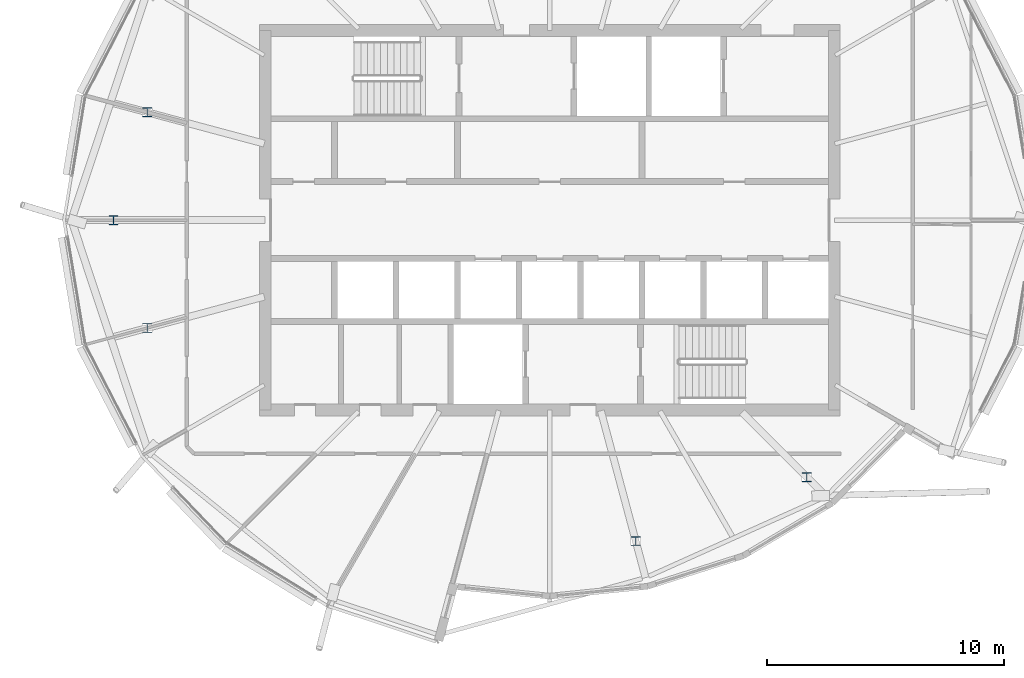
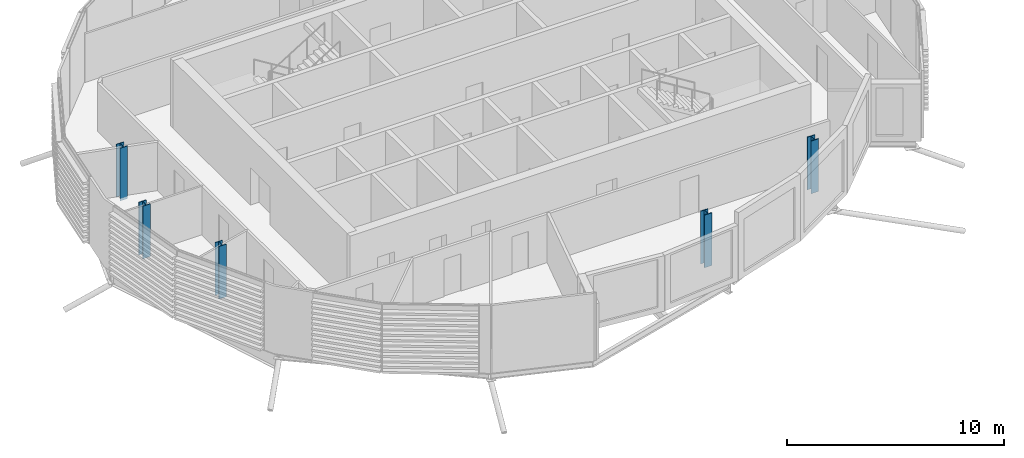
# One storey, part 1 of 33: 5 columns.
"""IFC4 building model written with IfcOpenShell, lengths in metres."""

import ifcopenshell
import ifcopenshell.guid

model = None  # the IFC model being written
_history = None  # IfcOwnerHistory: only IFC2X3 demands one
_inside = {}  # id of a spatial element -> (the spatial element, [elements in it])
_under = {}  # id of a project, library or spatial element -> (it, [spatial elements below it])
_declared = {}  # id of a project -> (the project, [libraries it declares])
_typed = {}  # id of a type object -> (the type object, [elements of that type])
_made_of = {}  # id of a material, layer set ... -> (it, [elements and type objects made of it])


def new_model(schema):
    """Start an empty IFC model of exactly this schema.

    Asked for "IFC4X3", IfcOpenShell would pick the latest addendum, in which some entities
    have other attributes; the version numbers below select the first issue.
    IFC2X3 requires an IfcOwnerHistory on every rooted entity: one is made here for all.
    """
    global model, _history
    if schema == "IFC4X3":
        model = ifcopenshell.file(schema_version=(4, 3, 0, 0))
    else:
        model = ifcopenshell.file(schema=schema)
    _inside.clear()
    _under.clear()
    _declared.clear()
    _typed.clear()
    _made_of.clear()
    _history = None
    if model.schema == "IFC2X3":
        org = make("IfcOrganization", Name="unknown")
        user = make(
            "IfcPersonAndOrganization",
            ThePerson=make("IfcPerson", FamilyName="unknown"),
            TheOrganization=org,
        )
        app = make(
            "IfcApplication",
            ApplicationDeveloper=org,
            Version="unknown",
            ApplicationFullName="unknown",
            ApplicationIdentifier="unknown",
        )
        _history = make(
            "IfcOwnerHistory",
            OwningUser=user,
            OwningApplication=app,
            ChangeAction="ADDED",
            CreationDate=0,
        )
    return model


def make(cls, **values):
    """One entity of the class cls with the attributes given. An attribute that is None is left unset."""
    return model.create_entity(
        cls, **{name: value for name, value in values.items() if value is not None}
    )


def rooted(cls, **values):
    """An entity with a GlobalId (a new one), such as an element, a storey or a relation."""
    return make(cls, GlobalId=ifcopenshell.guid.new(), OwnerHistory=_history, **values)


def si_unit(unit_type, name, prefix=None):
    """IfcSIUnit, for example si_unit("LENGTHUNIT", "METRE", prefix="MILLI")."""
    return make("IfcSIUnit", UnitType=unit_type, Prefix=prefix, Name=name)


def assignment(units):
    """IfcUnitAssignment: the units of a project."""
    return None if units is None else make("IfcUnitAssignment", Units=units)


def point(xyz):
    """IfcCartesianPoint."""
    return None if xyz is None else make("IfcCartesianPoint", Coordinates=xyz)


def direction(xyz):
    """IfcDirection."""
    return None if xyz is None else make("IfcDirection", DirectionRatios=xyz)


def frame(location, z_axis=None, x_axis=None):
    """IfcAxis2Placement3D, a coordinate frame: its origin and axes. An axis left out is left unset."""
    return make(
        "IfcAxis2Placement3D",
        Location=point(location),
        Axis=direction(z_axis),
        RefDirection=direction(x_axis),
    )


def frame_2d(location, x_axis=None):
    """IfcAxis2Placement2D, a coordinate frame in the plane: its origin and x axis."""
    return make(
        "IfcAxis2Placement2D", Location=point(location), RefDirection=direction(x_axis)
    )


def origin():
    """The frame at (0, 0, 0) with its axes left unset."""
    return frame((0.0, 0.0, 0.0))


def origin_2d():
    """The frame at (0, 0) in the plane with its x axis left unset."""
    return frame_2d((0.0, 0.0))


def place(relative_to, where):
    """IfcLocalPlacement: puts the frame where relative to a parent placement (None: the world)."""
    return make(
        "IfcLocalPlacement", PlacementRelTo=relative_to, RelativePlacement=where
    )


def context(
    kind, dimensions, precision=None, world=None, true_north=None, identifier=None
):
    """IfcGeometricRepresentationContext, for example the 3D "Model" context."""
    return make(
        "IfcGeometricRepresentationContext",
        ContextIdentifier=identifier,
        ContextType=kind,
        CoordinateSpaceDimension=dimensions,
        Precision=precision,
        WorldCoordinateSystem=world,
        TrueNorth=true_north,
    )


def subcontext(parent, identifier, kind, view, scale=None):
    """IfcGeometricRepresentationSubContext, for example "Body" below "Model"."""
    return make(
        "IfcGeometricRepresentationSubContext",
        ContextIdentifier=identifier,
        ContextType=kind,
        ParentContext=parent,
        TargetScale=scale,
        TargetView=view,
    )


def project(units=None, contexts=None):
    """IfcProject with its units and contexts."""
    return rooted(
        "IfcProject",
        Name="project",
        RepresentationContexts=contexts,
        UnitsInContext=assignment(units),
    )


def spatial(cls, under=None, at=None, **own):
    """A site, building, storey or space (cls), placed at a placement, below another one or the project."""
    s = rooted(cls, ObjectPlacement=at, **own)
    if under is not None:
        _under.setdefault(under.id(), (under, []))[1].append(s)
    return s


def profile(cls, at=None, kind="AREA", **sizes):
    """A parametric profile (cls). Its sizes go by their IFC names, for example OverallWidth=200.0."""
    return make(cls, ProfileType=kind, Position=at, **sizes)


def i_section(**sizes):
    """IfcIShapeProfileDef."""
    return profile("IfcIShapeProfileDef", **sizes)


def extrude(swept, where, along, depth):
    """IfcExtrudedAreaSolid: the profile swept, set in the frame where, extruded along a direction by depth."""
    return make(
        "IfcExtrudedAreaSolid",
        SweptArea=swept,
        Position=where,
        ExtrudedDirection=direction(along),
        Depth=depth,
    )


def shape(context_of_items, identifier, shape_type, items):
    """IfcShapeRepresentation: the items that make up one representation, for example the "Body"."""
    return make(
        "IfcShapeRepresentation",
        ContextOfItems=context_of_items,
        RepresentationIdentifier=identifier,
        RepresentationType=shape_type,
        Items=items,
    )


def material(Name=None, Category=None):
    """IfcMaterial."""
    return make("IfcMaterial", Name=Name, Category=Category)


def material_profile(
    of_material, cross_section, Name=None, Category=None, Priority=None
):
    """IfcMaterialProfile: a cross section and its material."""
    return make(
        "IfcMaterialProfile",
        Name=Name,
        Material=of_material,
        Profile=cross_section,
        Priority=Priority,
        Category=Category,
    )


def profile_set(profiles, Name=None, composite=None):
    """IfcMaterialProfileSet."""
    return make(
        "IfcMaterialProfileSet",
        Name=Name,
        MaterialProfiles=profiles,
        CompositeProfile=composite,
    )


def made_of(thing, what):
    """Note that an element or type object is made of a material, layer set ...; save() writes the relation."""
    if what is not None:
        _made_of.setdefault(what.id(), (what, []))[1].append(thing)
    return thing


def type_object(cls, material=None, **own):
    """A type object (cls), such as IfcWallType, which elements share."""
    return made_of(rooted(cls, **own), material)


def element(
    cls,
    number,
    at=None,
    inside=None,
    cuts=None,
    type_object=None,
    material=None,
    context=None,
    identifier="Body",
    shape_type=None,
    held_by="IfcProductDefinitionShape",
    body=None,
    shapes=None,
    **own,
):
    """One element of the class cls, such as IfcWall. Its Tag is "e" and its number.

    at: its placement. inside: the storey or other place that contains it. cuts: it is an
    opening in that element (IfcRelVoidsElement). A single representation is given by context,
    identifier, shape_type and body (its items); several are given by shapes. held_by: the class
    of the entity that holds the representations. save() writes the other relations.
    """
    e = rooted(cls, Tag="e%d" % number, ObjectPlacement=at, **own)
    if body is not None:
        shapes = [shape(context, identifier, shape_type, body)]
    if shapes is not None:
        e.Representation = make(held_by, Representations=shapes)
    if inside is not None:
        _inside.setdefault(inside.id(), (inside, []))[1].append(e)
    if cuts is not None:
        rooted(
            "IfcRelVoidsElement", RelatingBuildingElement=cuts, RelatedOpeningElement=e
        )
    if type_object is not None:
        _typed.setdefault(type_object.id(), (type_object, []))[1].append(e)
    return made_of(e, material)


def aggregate(whole, parts):
    """IfcRelAggregates: a whole, such as a stair, and the parts it consists of."""
    return rooted("IfcRelAggregates", RelatingObject=whole, RelatedObjects=parts)


def save(model, path):
    """Write the relations noted so far, then the file.

    IfcRelAggregates (storeys below a building ...), IfcRelContainedInSpatialStructure (elements
    in a storey), IfcRelDefinesByType, IfcRelAssociatesMaterial and IfcRelDeclares: one each for
    every whole, place, type object, material and project.
    """
    for whole, parts in _under.values():
        aggregate(whole, parts)
    for where, things in _inside.values():
        rooted(
            "IfcRelContainedInSpatialStructure",
            RelatedElements=things,
            RelatingStructure=where,
        )
    for kind, things in _typed.values():
        rooted("IfcRelDefinesByType", RelatedObjects=things, RelatingType=kind)
    for what, things in _made_of.values():
        rooted("IfcRelAssociatesMaterial", RelatedObjects=things, RelatingMaterial=what)
    for by, libraries in _declared.values():
        rooted("IfcRelDeclares", RelatingContext=by, RelatedDefinitions=libraries)
    model.write(path)


model = new_model("IFC4")

# Units and contexts
model_context = context("Model", 3, precision=1e-05, world=origin(), true_north=direction((0.0, 1.0)))
body_context = subcontext(model_context, "Body", "Model", "MODEL_VIEW")
ifc_project = project(units=[si_unit("LENGTHUNIT", "METRE"), si_unit("AREAUNIT", "SQUARE_METRE"), si_unit("VOLUMEUNIT", "CUBIC_METRE"), si_unit("PLANEANGLEUNIT", "RADIAN"), si_unit("MASSUNIT", "GRAM", prefix="KILO")], contexts=[model_context])

# Site, building, storey
site_placement = place(None, origin())
site = spatial("IfcSite", under=ifc_project, at=site_placement, CompositionType="ELEMENT")
building_placement = place(site_placement, origin())
building = spatial("IfcBuilding", under=site, at=building_placement, Name="Rimbun Link Towers", CompositionType="ELEMENT")
storey_placement = place(building_placement, frame((0.0, 0.0, 237.10009765625)))
storey = spatial("IfcBuildingStorey", under=building, at=storey_placement, Name="L58", CompositionType="ELEMENT", Elevation=237.10009765625)

# Columns
ifc_material = material(Name="Steel S355J2", Category="steel")
ifc_material_profile = material_profile(ifc_material, i_section(OverallWidth=0.39892578125, OverallDepth=0.3935546875, WebThickness=0.022705078125, FlangeThickness=0.03662109375, at=origin_2d()), Name="UC 356x406x287")
ifc_profile_set = profile_set([ifc_material_profile], Name="Steel S355J2")
column_type = type_object("IfcColumnType", Name="UC 356x406x287", PredefinedType="COLUMN", material=ifc_profile_set)
for number, where, z_axis, x_axis, name in (
    (1, (-48.723388671875, 4.548095703125, -0.14013671875), (0.0, 0.0, 1.0), (1.0, 0.0, 0.0), "Crease post T1 L58 11"),
    (2, (-50.147705078125, 0.0, -0.14013671875), (0.0, 0.0, 1.0), (1.0, 0.0, 0.0), "Crease post T1 L58 12"),
    (3, (-48.723388671875, -4.548095703125, -0.14013671875), (0.0, 0.0, 1.0), (1.0, 0.0, 0.0), "Crease post T1 L58 13"),
    (4, (-28.12353515625, -13.533935546875, -0.14013671875), (0.0, 0.0, 1.0), (1.0, 0.0, 0.0), "Crease post T1 L58 19"),
    (5, (-20.905517578125, -10.844482421875, -0.14013671875), (0.0, 0.0, 1.0), (1.0, 0.0, 0.0), "Crease post T1 L58 21"),
):
    element("IfcColumn", number, at=place(storey_placement, frame(where, z_axis=z_axis, x_axis=x_axis)), inside=storey, type_object=column_type, Name=name, PredefinedType="COLUMN", context=body_context, shape_type="SweptSolid", body=[
        extrude(i_section(OverallWidth=0.39892578125, OverallDepth=0.3935546875, WebThickness=0.022705078125, FlangeThickness=0.03662109375, at=origin_2d()), origin(), (0.0, 0.0, 1.0), 2.959228515625),
    ])

save(model, "model.ifc")
